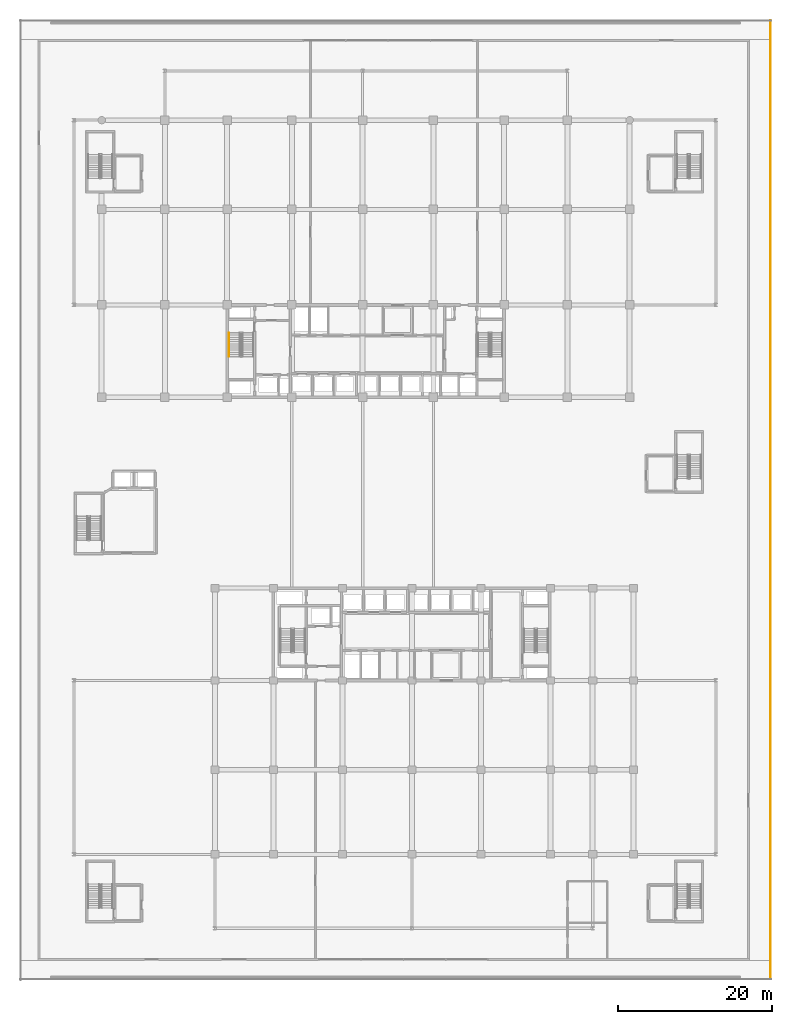
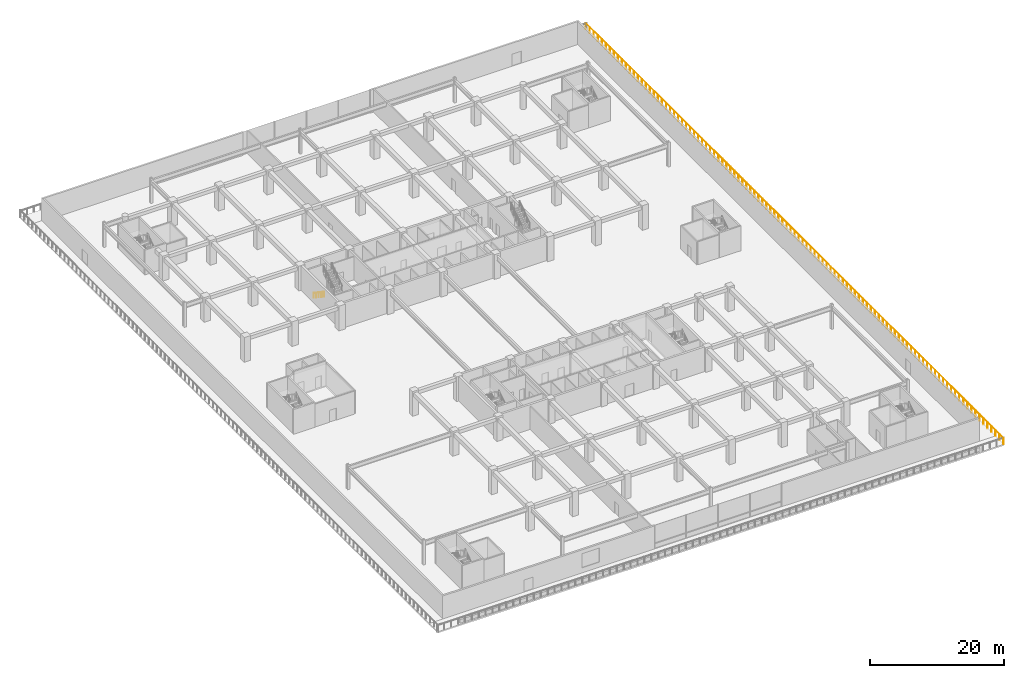
# One storey, part 35 of 40: 2 railings.
"""IFC4 building model written with IfcOpenShell, lengths in metres."""

from ifc_helpers import new_model, si_unit, direction, frame, origin, origin_2d, place, context, subcontext, project, spatial, circle, extrude, material, type_object, element, save


model = new_model("IFC4")

# Units and contexts
model_context = context("Model", 3, precision=1e-05, world=origin(), true_north=direction((0.0, 1.0)))
body_context = subcontext(model_context, "Body", "Model", "MODEL_VIEW")
ifc_project = project(units=[si_unit("LENGTHUNIT", "METRE"), si_unit("AREAUNIT", "SQUARE_METRE"), si_unit("VOLUMEUNIT", "CUBIC_METRE"), si_unit("PLANEANGLEUNIT", "RADIAN"), si_unit("MASSUNIT", "GRAM", prefix="KILO")], contexts=[model_context])

# Site, building, storey
site_placement = place(None, origin())
site = spatial("IfcSite", under=ifc_project, at=site_placement, CompositionType="ELEMENT")
building_placement = place(site_placement, origin())
building = spatial("IfcBuilding", under=site, at=building_placement, Name="Korimba Cascade Residences", CompositionType="ELEMENT")
storey_placement = place(building_placement, frame((0.0, 0.0, 14.5)))
storey = spatial("IfcBuildingStorey", under=building, at=storey_placement, Name="L03", CompositionType="ELEMENT", Elevation=14.5)

# Railings
ifc_material_1 = material(Name="Brushed Stainless Steel Handrail", Category="steel")
railing_type_1 = type_object("IfcRailingType", Name="RLG-ST-HR900", PredefinedType="HANDRAIL", material=ifc_material_1)
railing_1_placement = place(storey_placement, frame((76.35009765625, 63.550048828125, 0.379150390625)))
element("IfcRailing", 1, at=railing_1_placement, inside=storey, type_object=railing_type_1, Name="L03 ST-W1 stair handrail 1", PredefinedType="HANDRAIL", context=body_context, shape_type="SweptSolid", body=[
    extrude(circle(Radius=0.02392578125, at=origin_2d()), frame((0.0, 0.0, 0.8759765625), z_axis=(0.0, -0.830913701846, 0.55640131208), x_axis=(1.0, 0.0, 0.0)), (0.0, 0.0, 1.0), 3.706787109375),
    extrude(circle(Radius=0.02099609375, at=origin_2d()), origin(), (0.0, 0.0, 1.0), 0.851806640625),
    extrude(circle(Radius=0.02099609375, at=origin_2d()), frame((0.0, -0.77001953125, 0.515625)), (0.0, 0.0, 1.0), 0.851806640625),
    extrude(circle(Radius=0.02099609375, at=origin_2d()), frame((0.0, -1.5400390625, 1.03125)), (0.0, 0.0, 1.0), 0.851806640625),
    extrude(circle(Radius=0.02099609375, at=origin_2d()), frame((0.0, -2.31005859375, 1.546875)), (0.0, 0.0, 1.0), 0.851806640625),
    extrude(circle(Radius=0.02099609375, at=origin_2d()), frame((0.0, -3.080078125, 2.0625)), (0.0, 0.0, 1.0), 0.851806640625),
])
ifc_material_2 = material(Name="Painted Galvanised Steel Terrace Guardrail", Category="steel")
railing_type_2 = type_object("IfcRailingType", Name="RLG-TER-1150", PredefinedType="GUARDRAIL", material=ifc_material_2)
railing_2_placement = place(storey_placement, frame((146.719970703125, -20.5, 0.0)))
element("IfcRailing", 2, at=railing_2_placement, inside=storey, type_object=railing_type_2, Name="L03 Perimeter Guardrail RLG-L03-TER-02", PredefinedType="GUARDRAIL", context=body_context, shape_type="SweptSolid", body=[
    extrude(circle(Radius=0.02392578125, at=origin_2d()), frame((0.0, 0.0, 1.1259765625), z_axis=(0.0, 1.0, 0.0), x_axis=(-1.0, 0.0, 0.0)), (0.0, 0.0, 1.0), 124.699951171875),
    extrude(circle(Radius=0.02099609375, at=origin_2d()), origin(), (0.0, 0.0, 1.0), 1.101806640625),
    extrude(circle(Radius=0.02099609375, at=origin_2d()), frame((0.0, 1.198974609375, 0.0)), (0.0, 0.0, 1.0), 1.101806640625),
    extrude(circle(Radius=0.02099609375, at=origin_2d()), frame((0.0, 2.398193359375, 0.0)), (0.0, 0.0, 1.0), 1.101806640625),
    extrude(circle(Radius=0.02099609375, at=origin_2d()), frame((0.0, 3.59716796875, 0.0)), (0.0, 0.0, 1.0), 1.101806640625),
    extrude(circle(Radius=0.02099609375, at=origin_2d()), frame((0.0, 4.796142578125, 0.0)), (0.0, 0.0, 1.0), 1.101806640625),
    extrude(circle(Radius=0.02099609375, at=origin_2d()), frame((0.0, 5.9951171875, 0.0)), (0.0, 0.0, 1.0), 1.101806640625),
    extrude(circle(Radius=0.02099609375, at=origin_2d()), frame((0.0, 7.1943359375, 0.0)), (0.0, 0.0, 1.0), 1.101806640625),
    extrude(circle(Radius=0.02099609375, at=origin_2d()), frame((0.0, 8.393310546875, 0.0)), (0.0, 0.0, 1.0), 1.101806640625),
    extrude(circle(Radius=0.02099609375, at=origin_2d()), frame((0.0, 9.59228515625, 0.0)), (0.0, 0.0, 1.0), 1.101806640625),
    extrude(circle(Radius=0.02099609375, at=origin_2d()), frame((0.0, 10.791259765625, 0.0)), (0.0, 0.0, 1.0), 1.101806640625),
    extrude(circle(Radius=0.02099609375, at=origin_2d()), frame((0.0, 11.990478515625, 0.0)), (0.0, 0.0, 1.0), 1.101806640625),
    extrude(circle(Radius=0.02099609375, at=origin_2d()), frame((0.0, 13.189453125, 0.0)), (0.0, 0.0, 1.0), 1.101806640625),
    extrude(circle(Radius=0.02099609375, at=origin_2d()), frame((0.0, 14.388427734375, 0.0)), (0.0, 0.0, 1.0), 1.101806640625),
    extrude(circle(Radius=0.02099609375, at=origin_2d()), frame((0.0, 15.58740234375, 0.0)), (0.0, 0.0, 1.0), 1.101806640625),
    extrude(circle(Radius=0.02099609375, at=origin_2d()), frame((0.0, 16.78662109375, 0.0)), (0.0, 0.0, 1.0), 1.101806640625),
    extrude(circle(Radius=0.02099609375, at=origin_2d()), frame((0.0, 17.985595703125, 0.0)), (0.0, 0.0, 1.0), 1.101806640625),
    extrude(circle(Radius=0.02099609375, at=origin_2d()), frame((0.0, 19.1845703125, 0.0)), (0.0, 0.0, 1.0), 1.101806640625),
    extrude(circle(Radius=0.02099609375, at=origin_2d()), frame((0.0, 20.383544921875, 0.0)), (0.0, 0.0, 1.0), 1.101806640625),
    extrude(circle(Radius=0.02099609375, at=origin_2d()), frame((0.0, 21.582763671875, 0.0)), (0.0, 0.0, 1.0), 1.101806640625),
    extrude(circle(Radius=0.02099609375, at=origin_2d()), frame((0.0, 22.78173828125, 0.0)), (0.0, 0.0, 1.0), 1.101806640625),
    extrude(circle(Radius=0.02099609375, at=origin_2d()), frame((0.0, 23.980712890625, 0.0)), (0.0, 0.0, 1.0), 1.101806640625),
    extrude(circle(Radius=0.02099609375, at=origin_2d()), frame((0.0, 25.1796875, 0.0)), (0.0, 0.0, 1.0), 1.101806640625),
    extrude(circle(Radius=0.02099609375, at=origin_2d()), frame((0.0, 26.37890625, 0.0)), (0.0, 0.0, 1.0), 1.101806640625),
    extrude(circle(Radius=0.02099609375, at=origin_2d()), frame((0.0, 27.577880859375, 0.0)), (0.0, 0.0, 1.0), 1.101806640625),
    extrude(circle(Radius=0.02099609375, at=origin_2d()), frame((0.0, 28.77685546875, 0.0)), (0.0, 0.0, 1.0), 1.101806640625),
    extrude(circle(Radius=0.02099609375, at=origin_2d()), frame((0.0, 29.975830078125, 0.0)), (0.0, 0.0, 1.0), 1.101806640625),
    extrude(circle(Radius=0.02099609375, at=origin_2d()), frame((0.0, 31.175048828125, 0.0)), (0.0, 0.0, 1.0), 1.101806640625),
    extrude(circle(Radius=0.02099609375, at=origin_2d()), frame((0.0, 32.3740234375, 0.0)), (0.0, 0.0, 1.0), 1.101806640625),
    extrude(circle(Radius=0.02099609375, at=origin_2d()), frame((0.0, 33.572998046875, 0.0)), (0.0, 0.0, 1.0), 1.101806640625),
    extrude(circle(Radius=0.02099609375, at=origin_2d()), frame((0.0, 34.772216796875, 0.0)), (0.0, 0.0, 1.0), 1.101806640625),
    extrude(circle(Radius=0.02099609375, at=origin_2d()), frame((0.0, 35.97119140625, 0.0)), (0.0, 0.0, 1.0), 1.101806640625),
    extrude(circle(Radius=0.02099609375, at=origin_2d()), frame((0.0, 37.170166015625, 0.0)), (0.0, 0.0, 1.0), 1.101806640625),
    extrude(circle(Radius=0.02099609375, at=origin_2d()), frame((0.0, 38.369140625, 0.0)), (0.0, 0.0, 1.0), 1.101806640625),
    extrude(circle(Radius=0.02099609375, at=origin_2d()), frame((0.0, 39.568359375, 0.0)), (0.0, 0.0, 1.0), 1.101806640625),
    extrude(circle(Radius=0.02099609375, at=origin_2d()), frame((0.0, 40.767333984375, 0.0)), (0.0, 0.0, 1.0), 1.101806640625),
    extrude(circle(Radius=0.02099609375, at=origin_2d()), frame((0.0, 41.96630859375, 0.0)), (0.0, 0.0, 1.0), 1.101806640625),
    extrude(circle(Radius=0.02099609375, at=origin_2d()), frame((0.0, 43.165283203125, 0.0)), (0.0, 0.0, 1.0), 1.101806640625),
    extrude(circle(Radius=0.02099609375, at=origin_2d()), frame((0.0, 44.364501953125, 0.0)), (0.0, 0.0, 1.0), 1.101806640625),
    extrude(circle(Radius=0.02099609375, at=origin_2d()), frame((0.0, 45.5634765625, 0.0)), (0.0, 0.0, 1.0), 1.101806640625),
    extrude(circle(Radius=0.02099609375, at=origin_2d()), frame((0.0, 46.762451171875, 0.0)), (0.0, 0.0, 1.0), 1.101806640625),
    extrude(circle(Radius=0.02099609375, at=origin_2d()), frame((0.0, 47.96142578125, 0.0)), (0.0, 0.0, 1.0), 1.101806640625),
    extrude(circle(Radius=0.02099609375, at=origin_2d()), frame((0.0, 49.16064453125, 0.0)), (0.0, 0.0, 1.0), 1.101806640625),
    extrude(circle(Radius=0.02099609375, at=origin_2d()), frame((0.0, 50.359619140625, 0.0)), (0.0, 0.0, 1.0), 1.101806640625),
    extrude(circle(Radius=0.02099609375, at=origin_2d()), frame((0.0, 51.55859375, 0.0)), (0.0, 0.0, 1.0), 1.101806640625),
    extrude(circle(Radius=0.02099609375, at=origin_2d()), frame((0.0, 52.757568359375, 0.0)), (0.0, 0.0, 1.0), 1.101806640625),
    extrude(circle(Radius=0.02099609375, at=origin_2d()), frame((0.0, 53.956787109375, 0.0)), (0.0, 0.0, 1.0), 1.101806640625),
    extrude(circle(Radius=0.02099609375, at=origin_2d()), frame((0.0, 55.15576171875, 0.0)), (0.0, 0.0, 1.0), 1.101806640625),
    extrude(circle(Radius=0.02099609375, at=origin_2d()), frame((0.0, 56.354736328125, 0.0)), (0.0, 0.0, 1.0), 1.101806640625),
    extrude(circle(Radius=0.02099609375, at=origin_2d()), frame((0.0, 57.5537109375, 0.0)), (0.0, 0.0, 1.0), 1.101806640625),
    extrude(circle(Radius=0.02099609375, at=origin_2d()), frame((0.0, 58.7529296875, 0.0)), (0.0, 0.0, 1.0), 1.101806640625),
    extrude(circle(Radius=0.02099609375, at=origin_2d()), frame((0.0, 59.951904296875, 0.0)), (0.0, 0.0, 1.0), 1.101806640625),
    extrude(circle(Radius=0.02099609375, at=origin_2d()), frame((0.0, 61.15087890625, 0.0)), (0.0, 0.0, 1.0), 1.101806640625),
    extrude(circle(Radius=0.02099609375, at=origin_2d()), frame((0.0, 62.35009765625, 0.0)), (0.0, 0.0, 1.0), 1.101806640625),
    extrude(circle(Radius=0.02099609375, at=origin_2d()), frame((0.0, 63.549072265625, 0.0)), (0.0, 0.0, 1.0), 1.101806640625),
    extrude(circle(Radius=0.02099609375, at=origin_2d()), frame((0.0, 64.748046875, 0.0)), (0.0, 0.0, 1.0), 1.101806640625),
    extrude(circle(Radius=0.02099609375, at=origin_2d()), frame((0.0, 65.947021484375, 0.0)), (0.0, 0.0, 1.0), 1.101806640625),
    extrude(circle(Radius=0.02099609375, at=origin_2d()), frame((0.0, 67.146240234375, 0.0)), (0.0, 0.0, 1.0), 1.101806640625),
    extrude(circle(Radius=0.02099609375, at=origin_2d()), frame((0.0, 68.34521484375, 0.0)), (0.0, 0.0, 1.0), 1.101806640625),
    extrude(circle(Radius=0.02099609375, at=origin_2d()), frame((0.0, 69.544189453125, 0.0)), (0.0, 0.0, 1.0), 1.101806640625),
    extrude(circle(Radius=0.02099609375, at=origin_2d()), frame((0.0, 70.7431640625, 0.0)), (0.0, 0.0, 1.0), 1.101806640625),
    extrude(circle(Radius=0.02099609375, at=origin_2d()), frame((0.0, 71.9423828125, 0.0)), (0.0, 0.0, 1.0), 1.101806640625),
    extrude(circle(Radius=0.02099609375, at=origin_2d()), frame((0.0, 73.141357421875, 0.0)), (0.0, 0.0, 1.0), 1.101806640625),
    extrude(circle(Radius=0.02099609375, at=origin_2d()), frame((0.0, 74.34033203125, 0.0)), (0.0, 0.0, 1.0), 1.101806640625),
    extrude(circle(Radius=0.02099609375, at=origin_2d()), frame((0.0, 75.539306640625, 0.0)), (0.0, 0.0, 1.0), 1.101806640625),
    extrude(circle(Radius=0.02099609375, at=origin_2d()), frame((0.0, 76.738525390625, 0.0)), (0.0, 0.0, 1.0), 1.101806640625),
    extrude(circle(Radius=0.02099609375, at=origin_2d()), frame((0.0, 77.9375, 0.0)), (0.0, 0.0, 1.0), 1.101806640625),
    extrude(circle(Radius=0.02099609375, at=origin_2d()), frame((0.0, 79.136474609375, 0.0)), (0.0, 0.0, 1.0), 1.101806640625),
    extrude(circle(Radius=0.02099609375, at=origin_2d()), frame((0.0, 80.33544921875, 0.0)), (0.0, 0.0, 1.0), 1.101806640625),
    extrude(circle(Radius=0.02099609375, at=origin_2d()), frame((0.0, 81.53466796875, 0.0)), (0.0, 0.0, 1.0), 1.101806640625),
    extrude(circle(Radius=0.02099609375, at=origin_2d()), frame((0.0, 82.733642578125, 0.0)), (0.0, 0.0, 1.0), 1.101806640625),
    extrude(circle(Radius=0.02099609375, at=origin_2d()), frame((0.0, 83.9326171875, 0.0)), (0.0, 0.0, 1.0), 1.101806640625),
    extrude(circle(Radius=0.02099609375, at=origin_2d()), frame((0.0, 85.131591796875, 0.0)), (0.0, 0.0, 1.0), 1.101806640625),
    extrude(circle(Radius=0.02099609375, at=origin_2d()), frame((0.0, 86.330810546875, 0.0)), (0.0, 0.0, 1.0), 1.101806640625),
    extrude(circle(Radius=0.02099609375, at=origin_2d()), frame((0.0, 87.52978515625, 0.0)), (0.0, 0.0, 1.0), 1.101806640625),
    extrude(circle(Radius=0.02099609375, at=origin_2d()), frame((0.0, 88.728759765625, 0.0)), (0.0, 0.0, 1.0), 1.101806640625),
    extrude(circle(Radius=0.02099609375, at=origin_2d()), frame((0.0, 89.927734375, 0.0)), (0.0, 0.0, 1.0), 1.101806640625),
    extrude(circle(Radius=0.02099609375, at=origin_2d()), frame((0.0, 91.126953125, 0.0)), (0.0, 0.0, 1.0), 1.101806640625),
    extrude(circle(Radius=0.02099609375, at=origin_2d()), frame((0.0, 92.325927734375, 0.0)), (0.0, 0.0, 1.0), 1.101806640625),
    extrude(circle(Radius=0.02099609375, at=origin_2d()), frame((0.0, 93.52490234375, 0.0)), (0.0, 0.0, 1.0), 1.101806640625),
    extrude(circle(Radius=0.02099609375, at=origin_2d()), frame((0.0, 94.72412109375, 0.0)), (0.0, 0.0, 1.0), 1.101806640625),
    extrude(circle(Radius=0.02099609375, at=origin_2d()), frame((0.0, 95.923095703125, 0.0)), (0.0, 0.0, 1.0), 1.101806640625),
    extrude(circle(Radius=0.02099609375, at=origin_2d()), frame((0.0, 97.1220703125, 0.0)), (0.0, 0.0, 1.0), 1.101806640625),
    extrude(circle(Radius=0.02099609375, at=origin_2d()), frame((0.0, 98.321044921875, 0.0)), (0.0, 0.0, 1.0), 1.101806640625),
    extrude(circle(Radius=0.02099609375, at=origin_2d()), frame((0.0, 99.520263671875, 0.0)), (0.0, 0.0, 1.0), 1.101806640625),
    extrude(circle(Radius=0.02099609375, at=origin_2d()), frame((0.0, 100.71923828125, 0.0)), (0.0, 0.0, 1.0), 1.101806640625),
    extrude(circle(Radius=0.02099609375, at=origin_2d()), frame((0.0, 101.918212890625, 0.0)), (0.0, 0.0, 1.0), 1.101806640625),
    extrude(circle(Radius=0.02099609375, at=origin_2d()), frame((0.0, 103.1171875, 0.0)), (0.0, 0.0, 1.0), 1.101806640625),
    extrude(circle(Radius=0.02099609375, at=origin_2d()), frame((0.0, 104.31640625, 0.0)), (0.0, 0.0, 1.0), 1.101806640625),
    extrude(circle(Radius=0.02099609375, at=origin_2d()), frame((0.0, 105.515380859375, 0.0)), (0.0, 0.0, 1.0), 1.101806640625),
    extrude(circle(Radius=0.02099609375, at=origin_2d()), frame((0.0, 106.71435546875, 0.0)), (0.0, 0.0, 1.0), 1.101806640625),
    extrude(circle(Radius=0.02099609375, at=origin_2d()), frame((0.0, 107.913330078125, 0.0)), (0.0, 0.0, 1.0), 1.101806640625),
    extrude(circle(Radius=0.02099609375, at=origin_2d()), frame((0.0, 109.112548828125, 0.0)), (0.0, 0.0, 1.0), 1.101806640625),
    extrude(circle(Radius=0.02099609375, at=origin_2d()), frame((0.0, 110.3115234375, 0.0)), (0.0, 0.0, 1.0), 1.101806640625),
    extrude(circle(Radius=0.02099609375, at=origin_2d()), frame((0.0, 111.510498046875, 0.0)), (0.0, 0.0, 1.0), 1.101806640625),
    extrude(circle(Radius=0.02099609375, at=origin_2d()), frame((0.0, 112.70947265625, 0.0)), (0.0, 0.0, 1.0), 1.101806640625),
    extrude(circle(Radius=0.02099609375, at=origin_2d()), frame((0.0, 113.90869140625, 0.0)), (0.0, 0.0, 1.0), 1.101806640625),
    extrude(circle(Radius=0.02099609375, at=origin_2d()), frame((0.0, 115.107666015625, 0.0)), (0.0, 0.0, 1.0), 1.101806640625),
    extrude(circle(Radius=0.02099609375, at=origin_2d()), frame((0.0, 116.306640625, 0.0)), (0.0, 0.0, 1.0), 1.101806640625),
    extrude(circle(Radius=0.02099609375, at=origin_2d()), frame((0.0, 117.505615234375, 0.0)), (0.0, 0.0, 1.0), 1.101806640625),
    extrude(circle(Radius=0.02099609375, at=origin_2d()), frame((0.0, 118.704833984375, 0.0)), (0.0, 0.0, 1.0), 1.101806640625),
    extrude(circle(Radius=0.02099609375, at=origin_2d()), frame((0.0, 119.90380859375, 0.0)), (0.0, 0.0, 1.0), 1.101806640625),
    extrude(circle(Radius=0.02099609375, at=origin_2d()), frame((0.0, 121.102783203125, 0.0)), (0.0, 0.0, 1.0), 1.101806640625),
    extrude(circle(Radius=0.02099609375, at=origin_2d()), frame((0.0, 122.3017578125, 0.0)), (0.0, 0.0, 1.0), 1.101806640625),
    extrude(circle(Radius=0.02099609375, at=origin_2d()), frame((0.0, 123.5009765625, 0.0)), (0.0, 0.0, 1.0), 1.101806640625),
    extrude(circle(Radius=0.02099609375, at=origin_2d()), frame((0.0, 124.699951171875, 0.0)), (0.0, 0.0, 1.0), 1.101806640625),
])

save(model, "model.ifc")
